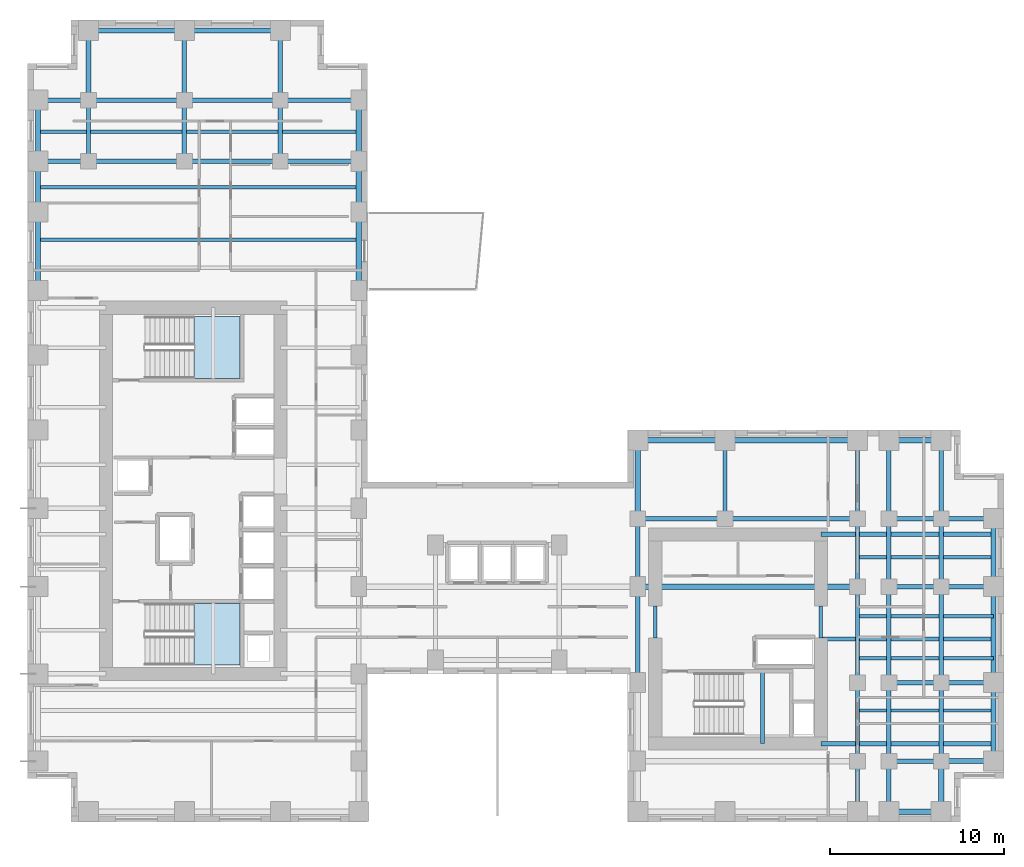
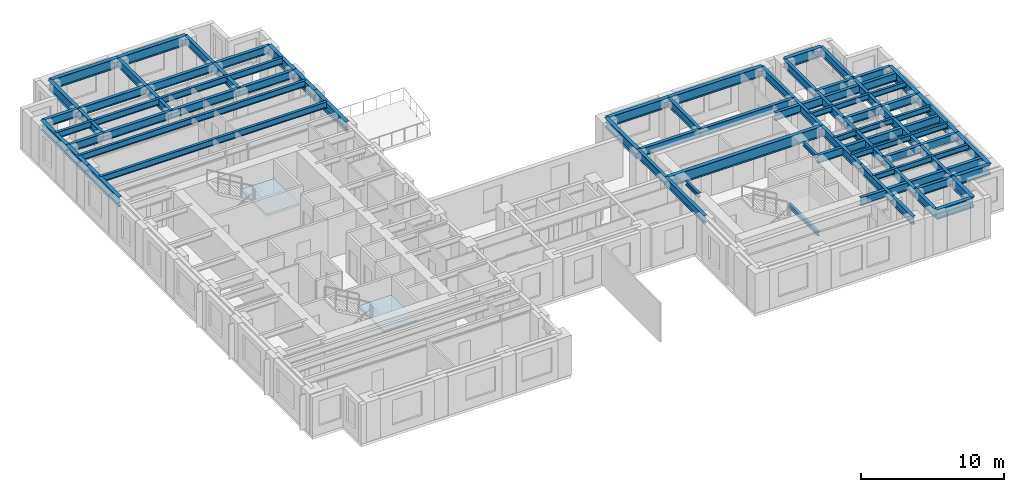
# One storey, part 2 of 11: 72 beams, 2 slabs, 2 elements without a shape of their own.
"""IFC4 building model written with IfcOpenShell, lengths in metres."""

from ifc_helpers import new_model, si_unit, direction, frame, origin, origin_2d, place, context, subcontext, project, spatial, polyline, i_section, outline, extrude, source, transform, mapped, material, layer, layer_set, material_profile, profile_set, type_object, element, aggregate, save


model = new_model("IFC4")

# Units and contexts
model_context = context("Model", 3, precision=1e-05, world=origin(), true_north=direction((0.0, 1.0)))
body_context = subcontext(model_context, "Body", "Model", "MODEL_VIEW")
ifc_project = project(units=[si_unit("LENGTHUNIT", "METRE"), si_unit("AREAUNIT", "SQUARE_METRE"), si_unit("VOLUMEUNIT", "CUBIC_METRE"), si_unit("PLANEANGLEUNIT", "RADIAN"), si_unit("MASSUNIT", "GRAM", prefix="KILO")], contexts=[model_context])

# Site, building, storey
site_placement = place(None, origin())
site = spatial("IfcSite", under=ifc_project, at=site_placement, CompositionType="ELEMENT")
building_placement = place(site_placement, origin())
building = spatial("IfcBuilding", under=site, at=building_placement, Name="Kharzan Plaza Tower", CompositionType="ELEMENT")
storey_placement = place(building_placement, frame((0.0, 0.0, 127.800048828125)))
storey = spatial("IfcBuildingStorey", under=building, at=storey_placement, Name="L34", CompositionType="ELEMENT", Elevation=127.800048828125)

# Beams
ifc_material_1 = material(Name="Steel S355", Category="steel")
ifc_material_profile_1 = material_profile(ifc_material_1, i_section(OverallWidth=0.205078125, OverallDepth=0.35400390625, WebThickness=0.009521484375, FlangeThickness=0.016845703125, at=origin_2d()), Name="W360x79")
ifc_profile_set_1 = profile_set([ifc_material_profile_1], Name="Steel S355")
beam_type_1 = type_object("IfcBeamType", Name="BM-LNT360", PredefinedType="LINTEL", material=ifc_profile_set_1)
shared_shape_1 = source(origin(), body_context, "Body", "SweptSolid", [
    extrude(i_section(OverallWidth=0.205078125, OverallDepth=0.35400390625, WebThickness=0.009521484375, FlangeThickness=0.016845703125, at=origin_2d()), origin(), (0.0, 0.0, 1.0), 1.849853515625),
])
for number, where, z_axis, x_axis, name in (
    (1, (45.5, 10.550048828125, 3.202880859375), (0.0, 1.0, 0.0), (-1.0, 0.0, 0.0), "L34 CORE-B coupling lintel LN1-WE"),
    (2, (36.0, 10.550048828125, 3.202880859375), (0.0, 1.0, 0.0), (-1.0, 0.0, 0.0), "L34 CORE-B coupling lintel LN1-WW"),
):
    element("IfcBeam", number, at=place(storey_placement, frame(where, z_axis=z_axis, x_axis=x_axis)), inside=storey, type_object=beam_type_1, Name=name, PredefinedType="LINTEL", context=body_context, shape_type="MappedRepresentation", body=[
        mapped(shared_shape_1, transform((0.0, 0.0, 0.0), x_axis=(1.0, 0.0, 0.0), y_axis=(0.0, 1.0, 0.0), z_axis=(0.0, 0.0, 1.0))),
    ])
shared_shape_2 = source(origin(), body_context, "Body", "SweptSolid", [
    extrude(i_section(OverallWidth=0.205078125, OverallDepth=0.35400390625, WebThickness=0.009521484375, FlangeThickness=0.016845703125, at=origin_2d()), origin(), (0.0, 0.0, 1.0), 4.155029296875),
])
beam_1_placement = place(storey_placement, frame((42.14990234375, 4.5, 1.4228515625), z_axis=(0.0, 1.0, 0.0), x_axis=(-1.0, 0.0, 0.0)))
element("IfcBeam", 3, at=beam_1_placement, inside=storey, type_object=beam_type_1, Name="L34 Stair ST-3 Half-Landing Beam", PredefinedType="LINTEL", context=body_context, shape_type="MappedRepresentation", body=[
    mapped(shared_shape_2, transform((0.0, 0.0, 0.0), x_axis=(1.0, 0.0, 0.0), y_axis=(0.0, 1.0, 0.0), z_axis=(0.0, 0.0, 1.0))),
])
ifc_material_profile_2 = material_profile(ifc_material_1, i_section(OverallWidth=0.304931640625, OverallDepth=0.9189453125, WebThickness=0.017333984375, FlangeThickness=0.02783203125, at=origin_2d()), Name="W920x253")
ifc_profile_set_2 = profile_set([ifc_material_profile_2], Name="Steel S355")
beam_type_2 = type_object("IfcBeamType", Name="BM-FG920B", PredefinedType="BEAM", material=ifc_profile_set_2)
shared_shape_3 = source(origin(), body_context, "Body", "SweptSolid", [
    extrude(i_section(OverallWidth=0.304931640625, OverallDepth=0.9189453125, WebThickness=0.017333984375, FlangeThickness=0.02783203125, at=origin_2d()), origin(), (0.0, 0.0, 1.0), 12.60009765625),
])
beam_2_placement = place(storey_placement, frame((35.0, 13.5, 2.92041015625), z_axis=(1.0, 0.0, 0.0), x_axis=(0.0, 1.0, 0.0)))
element("IfcBeam", 4, at=beam_2_placement, inside=storey, type_object=beam_type_2, Name="L34 Primary Floor Girder", PredefinedType="BEAM", context=body_context, shape_type="MappedRepresentation", body=[
    mapped(shared_shape_3, transform((0.0, 0.0, 0.0), x_axis=(1.0, 0.0, 0.0), y_axis=(0.0, 1.0, 0.0), z_axis=(0.0, 0.0, 1.0))),
])
ifc_material_profile_3 = material_profile(ifc_material_1, i_section(OverallWidth=0.2099609375, OverallDepth=0.537109375, WebThickness=0.010986328125, FlangeThickness=0.017333984375, at=origin_2d()), Name="W530x101")
ifc_profile_set_3 = profile_set([ifc_material_profile_3], Name="Steel S355")
beam_type_3 = type_object("IfcBeamType", Name="BM-JST530B", PredefinedType="JOIST", material=ifc_profile_set_3)
shared_shape_4 = source(origin(), body_context, "Body", "SweptSolid", [
    extrude(i_section(OverallWidth=0.2099609375, OverallDepth=0.537109375, WebThickness=0.010986328125, FlangeThickness=0.017333984375, at=origin_2d()), origin(), (0.0, 0.0, 1.0), 18.39990234375),
])
for number, where, z_axis, x_axis, name in (
    (5, (0.60009765625, 33.39990234375, 3.111572265625), (1.0, 0.0, 0.0), (0.0, 1.0, 0.0), "L34 Wing A Composite Joist 05"),
    (6, (0.60009765625, 36.39990234375, 3.111572265625), (1.0, 0.0, 0.0), (0.0, 1.0, 0.0), "L34 Wing A Composite Joist 06"),
    (7, (0.60009765625, 39.60009765625, 3.111572265625), (1.0, 0.0, 0.0), (0.0, 1.0, 0.0), "L34 Wing A Composite Joist 07"),
):
    element("IfcBeam", number, at=place(storey_placement, frame(where, z_axis=z_axis, x_axis=x_axis)), inside=storey, type_object=beam_type_3, Name=name, PredefinedType="JOIST", context=body_context, shape_type="MappedRepresentation", body=[
        mapped(shared_shape_4, transform((0.0, 0.0, 0.0), x_axis=(1.0, 0.0, 0.0), y_axis=(0.0, 1.0, 0.0), z_axis=(0.0, 0.0, 1.0))),
    ])
ifc_material_profile_4 = material_profile(ifc_material_1, i_section(OverallWidth=0.25390625, OverallDepth=0.68798828125, WebThickness=0.01318359375, FlangeThickness=0.02099609375, at=origin_2d()), Name="W690x152")
ifc_profile_set_4 = profile_set([ifc_material_profile_4], Name="Steel S355")
beam_type_4 = type_object("IfcBeamType", Name="BM-FG690B", PredefinedType="BEAM", material=ifc_profile_set_4)
shared_shape_5 = source(origin(), body_context, "Body", "SweptSolid", [
    extrude(i_section(OverallWidth=0.25390625, OverallDepth=0.68798828125, WebThickness=0.01318359375, FlangeThickness=0.02099609375, at=origin_2d()), origin(), (0.0, 0.0, 1.0), 4.5),
])
for number, where, z_axis, x_axis, name in (
    (8, (40.0, 17.39990234375, 3.035888671875), (0.0, 1.0, 0.0), (-1.0, 0.0, 0.0), "L34 Interior Frame Girder"),
    (9, (47.60009765625, 3.5, 3.035888671875), (0.0, 1.0, 0.0), (-1.0, 0.0, 0.0), "L34 Interior Frame Girder"),
    (10, (47.60009765625, 17.39990234375, 3.035888671875), (0.0, 1.0, 0.0), (-1.0, 0.0, 0.0), "L34 Interior Frame Girder"),
    (11, (49.39990234375, 3.5, 3.035888671875), (0.0, 1.0, 0.0), (-1.0, 0.0, 0.0), "L34 Interior Frame Girder"),
    (12, (49.39990234375, 17.39990234375, 3.035888671875), (0.0, 1.0, 0.0), (-1.0, 0.0, 0.0), "L34 Interior Frame Girder"),
    (13, (52.39990234375, 3.5, 3.035888671875), (0.0, 1.0, 0.0), (-1.0, 0.0, 0.0), "L34 Interior Frame Girder"),
    (14, (52.39990234375, 17.39990234375, 3.035888671875), (0.0, 1.0, 0.0), (-1.0, 0.0, 0.0), "L34 Interior Frame Girder"),
    (15, (14.5, 37.89990234375, 3.035888671875), (1.0, 0.0, 0.0), (0.0, 1.0, 0.0), "L34 Primary Floor Girder"),
    (16, (14.5, 41.39990234375, 3.035888671875), (1.0, 0.0, 0.0), (0.0, 1.0, 0.0), "L34 Primary Floor Girder"),
):
    element("IfcBeam", number, at=place(storey_placement, frame(where, z_axis=z_axis, x_axis=x_axis)), inside=storey, type_object=beam_type_4, Name=name, PredefinedType="BEAM", context=body_context, shape_type="MappedRepresentation", body=[
        mapped(shared_shape_5, transform((0.0, 0.0, 0.0), x_axis=(1.0, 0.0, 0.0), y_axis=(0.0, 1.0, 0.0), z_axis=(0.0, 0.0, 1.0))),
    ])
shared_shape_6 = source(origin(), body_context, "Body", "SweptSolid", [
    extrude(i_section(OverallWidth=0.25390625, OverallDepth=0.68798828125, WebThickness=0.01318359375, FlangeThickness=0.02099609375, at=origin_2d()), origin(), (0.0, 0.0, 1.0), 3.89990234375),
])
for number, where, z_axis, x_axis, name in (
    (17, (35.0, 13.5, 3.035888671875), (0.0, 1.0, 0.0), (-1.0, 0.0, 0.0), "L34 Interior Frame Girder"),
    (18, (47.60009765625, 13.5, 3.035888671875), (0.0, 1.0, 0.0), (-1.0, 0.0, 0.0), "L34 Interior Frame Girder"),
    (19, (49.39990234375, 13.5, 3.035888671875), (0.0, 1.0, 0.0), (-1.0, 0.0, 0.0), "L34 Interior Frame Girder"),
    (20, (52.39990234375, 13.5, 3.035888671875), (0.0, 1.0, 0.0), (-1.0, 0.0, 0.0), "L34 Interior Frame Girder"),
):
    element("IfcBeam", number, at=place(storey_placement, frame(where, z_axis=z_axis, x_axis=x_axis)), inside=storey, type_object=beam_type_4, Name=name, PredefinedType="BEAM", context=body_context, shape_type="MappedRepresentation", body=[
        mapped(shared_shape_6, transform((0.0, 0.0, 0.0), x_axis=(1.0, 0.0, 0.0), y_axis=(0.0, 1.0, 0.0), z_axis=(0.0, 0.0, 1.0))),
    ])
shared_shape_7 = source(origin(), body_context, "Body", "SweptSolid", [
    extrude(i_section(OverallWidth=0.25390625, OverallDepth=0.68798828125, WebThickness=0.01318359375, FlangeThickness=0.02099609375, at=origin_2d()), origin(), (0.0, 0.0, 1.0), 9.89990234375),
])
for number, where, z_axis, x_axis, name in (
    (21, (45.5, 4.5, 3.035888671875), (1.0, 0.0, 0.0), (0.0, 1.0, 0.0), "L34 Core-B East Floor Girder 1"),
    (22, (45.5, 10.5, 3.035888671875), (1.0, 0.0, 0.0), (0.0, 1.0, 0.0), "L34 Core-B East Floor Girder 2"),
    (23, (45.5, 16.5, 3.035888671875), (1.0, 0.0, 0.0), (0.0, 1.0, 0.0), "L34 Core-B East Floor Girder 3"),
):
    element("IfcBeam", number, at=place(storey_placement, frame(where, z_axis=z_axis, x_axis=x_axis)), inside=storey, type_object=beam_type_4, Name=name, PredefinedType="BEAM", context=body_context, shape_type="MappedRepresentation", body=[
        mapped(shared_shape_7, transform((0.0, 0.0, 0.0), x_axis=(1.0, 0.0, 0.0), y_axis=(0.0, 1.0, 0.0), z_axis=(0.0, 0.0, 1.0))),
    ])
shared_shape_8 = source(origin(), body_context, "Body", "SweptSolid", [
    extrude(i_section(OverallWidth=0.25390625, OverallDepth=0.68798828125, WebThickness=0.01318359375, FlangeThickness=0.02099609375, at=origin_2d()), origin(), (0.0, 0.0, 1.0), 3.5),
])
for number, where, z_axis, x_axis, name in (
    (24, (3.5, 37.89990234375, 3.035888671875), (0.0, 1.0, 0.0), (-1.0, 0.0, 0.0), "L34 Interior Frame Girder"),
    (25, (9.0, 37.89990234375, 3.035888671875), (0.0, 1.0, 0.0), (-1.0, 0.0, 0.0), "L34 Interior Frame Girder"),
    (26, (14.5, 37.89990234375, 3.035888671875), (0.0, 1.0, 0.0), (-1.0, 0.0, 0.0), "L34 Interior Frame Girder"),
):
    element("IfcBeam", number, at=place(storey_placement, frame(where, z_axis=z_axis, x_axis=x_axis)), inside=storey, type_object=beam_type_4, Name=name, PredefinedType="BEAM", context=body_context, shape_type="MappedRepresentation", body=[
        mapped(shared_shape_8, transform((0.0, 0.0, 0.0), x_axis=(1.0, 0.0, 0.0), y_axis=(0.0, 1.0, 0.0), z_axis=(0.0, 0.0, 1.0))),
    ])
shared_shape_9 = source(origin(), body_context, "Body", "SweptSolid", [
    extrude(i_section(OverallWidth=0.25390625, OverallDepth=0.68798828125, WebThickness=0.01318359375, FlangeThickness=0.02099609375, at=origin_2d()), origin(), (0.0, 0.0, 1.0), 4.0),
])
for number, where, z_axis, x_axis, name in (
    (27, (9.0, 41.39990234375, 3.035888671875), (0.0, 1.0, 0.0), (-1.0, 0.0, 0.0), "L34 Interior Frame Girder"),
    (28, (14.5, 41.39990234375, 3.035888671875), (0.0, 1.0, 0.0), (-1.0, 0.0, 0.0), "L34 Interior Frame Girder"),
):
    element("IfcBeam", number, at=place(storey_placement, frame(where, z_axis=z_axis, x_axis=x_axis)), inside=storey, type_object=beam_type_4, Name=name, PredefinedType="BEAM", context=body_context, shape_type="MappedRepresentation", body=[
        mapped(shared_shape_9, transform((0.0, 0.0, 0.0), x_axis=(1.0, 0.0, 0.0), y_axis=(0.0, 1.0, 0.0), z_axis=(0.0, 0.0, 1.0))),
    ])
shared_shape_10 = source(origin(), body_context, "Body", "SweptSolid", [
    extrude(i_section(OverallWidth=0.25390625, OverallDepth=0.68798828125, WebThickness=0.01318359375, FlangeThickness=0.02099609375, at=origin_2d()), origin(), (0.0, 0.0, 1.0), 5.0),
])
beam_3_placement = place(storey_placement, frame((35.0, 17.39990234375, 3.035888671875), z_axis=(1.0, 0.0, 0.0), x_axis=(0.0, 1.0, 0.0)))
element("IfcBeam", 29, at=beam_3_placement, inside=storey, type_object=beam_type_4, Name="L34 Primary Floor Girder", PredefinedType="BEAM", context=body_context, shape_type="MappedRepresentation", body=[
    mapped(shared_shape_10, transform((0.0, 0.0, 0.0), x_axis=(1.0, 0.0, 0.0), y_axis=(0.0, 1.0, 0.0), z_axis=(0.0, 0.0, 1.0))),
])
shared_shape_11 = source(origin(), body_context, "Body", "SweptSolid", [
    extrude(i_section(OverallWidth=0.25390625, OverallDepth=0.68798828125, WebThickness=0.01318359375, FlangeThickness=0.02099609375, at=origin_2d()), origin(), (0.0, 0.0, 1.0), 5.5),
])
for number, where, z_axis, x_axis, name in (
    (30, (35.0, 8.0, 3.035888671875), (0.0, 1.0, 0.0), (-1.0, 0.0, 0.0), "L34 Interior Frame Girder"),
    (31, (47.60009765625, 8.0, 3.035888671875), (0.0, 1.0, 0.0), (-1.0, 0.0, 0.0), "L34 Interior Frame Girder"),
    (32, (49.39990234375, 8.0, 3.035888671875), (0.0, 1.0, 0.0), (-1.0, 0.0, 0.0), "L34 Interior Frame Girder"),
    (33, (52.39990234375, 8.0, 3.035888671875), (0.0, 1.0, 0.0), (-1.0, 0.0, 0.0), "L34 Interior Frame Girder"),
    (34, (3.5, 37.89990234375, 3.035888671875), (1.0, 0.0, 0.0), (0.0, 1.0, 0.0), "L34 Primary Floor Girder"),
    (35, (9.0, 37.89990234375, 3.035888671875), (1.0, 0.0, 0.0), (0.0, 1.0, 0.0), "L34 Primary Floor Girder"),
    (36, (3.5, 41.39990234375, 3.035888671875), (1.0, 0.0, 0.0), (0.0, 1.0, 0.0), "L34 Primary Floor Girder"),
    (37, (9.0, 41.39990234375, 3.035888671875), (1.0, 0.0, 0.0), (0.0, 1.0, 0.0), "L34 Primary Floor Girder"),
):
    element("IfcBeam", number, at=place(storey_placement, frame(where, z_axis=z_axis, x_axis=x_axis)), inside=storey, type_object=beam_type_4, Name=name, PredefinedType="BEAM", context=body_context, shape_type="MappedRepresentation", body=[
        mapped(shared_shape_11, transform((0.0, 0.0, 0.0), x_axis=(1.0, 0.0, 0.0), y_axis=(0.0, 1.0, 0.0), z_axis=(0.0, 0.0, 1.0))),
    ])
shared_shape_12 = source(origin(), body_context, "Body", "SweptSolid", [
    extrude(i_section(OverallWidth=0.25390625, OverallDepth=0.68798828125, WebThickness=0.01318359375, FlangeThickness=0.02099609375, at=origin_2d()), origin(), (0.0, 0.0, 1.0), 2.89990234375),
])
for number, where, z_axis, x_axis, name in (
    (38, (47.60009765625, 0.60009765625, 3.035888671875), (0.0, 1.0, 0.0), (-1.0, 0.0, 0.0), "L34 Interior Frame Girder"),
    (39, (49.39990234375, 0.60009765625, 3.035888671875), (0.0, 1.0, 0.0), (-1.0, 0.0, 0.0), "L34 Interior Frame Girder"),
    (40, (0.60009765625, 37.89990234375, 3.035888671875), (1.0, 0.0, 0.0), (0.0, 1.0, 0.0), "L34 Primary Floor Girder"),
    (41, (0.60009765625, 41.39990234375, 3.035888671875), (1.0, 0.0, 0.0), (0.0, 1.0, 0.0), "L34 Primary Floor Girder"),
):
    element("IfcBeam", number, at=place(storey_placement, frame(where, z_axis=z_axis, x_axis=x_axis)), inside=storey, type_object=beam_type_4, Name=name, PredefinedType="BEAM", context=body_context, shape_type="MappedRepresentation", body=[
        mapped(shared_shape_12, transform((0.0, 0.0, 0.0), x_axis=(1.0, 0.0, 0.0), y_axis=(0.0, 1.0, 0.0), z_axis=(0.0, 0.0, 1.0))),
    ])
shared_shape_13 = source(origin(), body_context, "Body", "SweptSolid", [
    extrude(i_section(OverallWidth=0.25390625, OverallDepth=0.68798828125, WebThickness=0.01318359375, FlangeThickness=0.02099609375, at=origin_2d()), origin(), (0.0, 0.0, 1.0), 3.0),
])
for number, where, z_axis, x_axis, name in (
    (42, (49.39990234375, 3.5, 3.035888671875), (1.0, 0.0, 0.0), (0.0, 1.0, 0.0), "L34 Primary Floor Girder"),
    (43, (49.39990234375, 8.0, 3.035888671875), (1.0, 0.0, 0.0), (0.0, 1.0, 0.0), "L34 Primary Floor Girder"),
    (44, (52.39990234375, 8.0, 3.035888671875), (1.0, 0.0, 0.0), (0.0, 1.0, 0.0), "L34 Primary Floor Girder"),
    (45, (49.39990234375, 13.5, 3.035888671875), (1.0, 0.0, 0.0), (0.0, 1.0, 0.0), "L34 Primary Floor Girder"),
    (46, (52.39990234375, 13.5, 3.035888671875), (1.0, 0.0, 0.0), (0.0, 1.0, 0.0), "L34 Primary Floor Girder"),
    (47, (49.39990234375, 17.39990234375, 3.035888671875), (1.0, 0.0, 0.0), (0.0, 1.0, 0.0), "L34 Primary Floor Girder"),
    (48, (52.39990234375, 17.39990234375, 3.035888671875), (1.0, 0.0, 0.0), (0.0, 1.0, 0.0), "L34 Primary Floor Girder"),
):
    element("IfcBeam", number, at=place(storey_placement, frame(where, z_axis=z_axis, x_axis=x_axis)), inside=storey, type_object=beam_type_4, Name=name, PredefinedType="BEAM", context=body_context, shape_type="MappedRepresentation", body=[
        mapped(shared_shape_13, transform((0.0, 0.0, 0.0), x_axis=(1.0, 0.0, 0.0), y_axis=(0.0, 1.0, 0.0), z_axis=(0.0, 0.0, 1.0))),
    ])
shared_shape_14 = source(origin(), body_context, "Body", "SweptSolid", [
    extrude(i_section(OverallWidth=0.25390625, OverallDepth=0.68798828125, WebThickness=0.01318359375, FlangeThickness=0.02099609375, at=origin_2d()), origin(), (0.0, 0.0, 1.0), 7.60009765625),
])
beam_4_placement = place(storey_placement, frame((40.0, 17.39990234375, 3.035888671875), z_axis=(1.0, 0.0, 0.0), x_axis=(0.0, 1.0, 0.0)))
element("IfcBeam", 49, at=beam_4_placement, inside=storey, type_object=beam_type_4, Name="L34 Primary Floor Girder", PredefinedType="BEAM", context=body_context, shape_type="MappedRepresentation", body=[
    mapped(shared_shape_14, transform((0.0, 0.0, 0.0), x_axis=(1.0, 0.0, 0.0), y_axis=(0.0, 1.0, 0.0), z_axis=(0.0, 0.0, 1.0))),
])
ifc_material_profile_5 = material_profile(ifc_material_1, i_section(OverallWidth=0.194091796875, OverallDepth=0.468994140625, WebThickness=0.011474609375, FlangeThickness=0.0205078125, at=origin_2d()), Name="W460x106")
ifc_profile_set_5 = profile_set([ifc_material_profile_5], Name="Steel S355")
beam_type_5 = type_object("IfcBeamType", Name="BM-JST460", PredefinedType="JOIST", material=ifc_profile_set_5)
shared_shape_15 = source(origin(), body_context, "Body", "SweptSolid", [
    extrude(i_section(OverallWidth=0.194091796875, OverallDepth=0.468994140625, WebThickness=0.011474609375, FlangeThickness=0.0205078125, at=origin_2d()), origin(), (0.0, 0.0, 1.0), 7.7998046875),
])
for number, where, z_axis, x_axis, name in (
    (50, (47.60009765625, 6.39990234375, 3.1455078125), (1.0, 0.0, 0.0), (0.0, 1.0, 0.0), "L34 Wing B Composite Joist 02"),
    (51, (47.60009765625, 9.39990234375, 3.1455078125), (1.0, 0.0, 0.0), (0.0, 1.0, 0.0), "L34 Wing B Composite Joist 03"),
    (52, (47.60009765625, 11.800048828125, 3.1455078125), (1.0, 0.0, 0.0), (0.0, 1.0, 0.0), "L34 Wing B Composite Joist 04"),
    (53, (47.60009765625, 15.199951171875, 3.1455078125), (1.0, 0.0, 0.0), (0.0, 1.0, 0.0), "L34 Wing B Composite Joist 05"),
):
    element("IfcBeam", number, at=place(storey_placement, frame(where, z_axis=z_axis, x_axis=x_axis)), inside=storey, type_object=beam_type_5, Name=name, PredefinedType="JOIST", context=body_context, shape_type="MappedRepresentation", body=[
        mapped(shared_shape_15, transform((0.0, 0.0, 0.0), x_axis=(1.0, 0.0, 0.0), y_axis=(0.0, 1.0, 0.0), z_axis=(0.0, 0.0, 1.0))),
    ])
ifc_material_profile_6 = material_profile(ifc_material_1, i_section(OverallWidth=0.299072265625, OverallDepth=0.845947265625, WebThickness=0.015380859375, FlangeThickness=0.0244140625, at=origin_2d()), Name="W840x210")
ifc_profile_set_6 = profile_set([ifc_material_profile_6], Name="Steel S355")
beam_type_6 = type_object("IfcBeamType", Name="BM-SP840B", PredefinedType="SPANDREL", material=ifc_profile_set_6)
shared_shape_16 = source(origin(), body_context, "Body", "SweptSolid", [
    extrude(i_section(OverallWidth=0.299072265625, OverallDepth=0.845947265625, WebThickness=0.015380859375, FlangeThickness=0.0244140625, at=origin_2d()), origin(), (0.0, 0.0, 1.0), 5.0),
])
beam_5_placement = place(storey_placement, frame((35.0, 21.89990234375, 2.95703125), z_axis=(1.0, 0.0, 0.0), x_axis=(0.0, 1.0, 0.0)))
element("IfcBeam", 54, at=beam_5_placement, inside=storey, type_object=beam_type_6, Name="L34 Perimeter Tube Spandrel", PredefinedType="SPANDREL", context=body_context, shape_type="MappedRepresentation", body=[
    mapped(shared_shape_16, transform((0.0, 0.0, 0.0), x_axis=(1.0, 0.0, 0.0), y_axis=(0.0, 1.0, 0.0), z_axis=(0.0, 0.0, 1.0))),
])
shared_shape_17 = source(origin(), body_context, "Body", "SweptSolid", [
    extrude(i_section(OverallWidth=0.299072265625, OverallDepth=0.845947265625, WebThickness=0.015380859375, FlangeThickness=0.0244140625, at=origin_2d()), origin(), (0.0, 0.0, 1.0), 4.5),
])
for number, where, z_axis, x_axis, name in (
    (55, (0.60009765625, 30.5, 2.95703125), (0.0, 1.0, 0.0), (-1.0, 0.0, 0.0), "L34 Perimeter Tube Spandrel"),
    (56, (19.0, 30.5, 2.95703125), (0.0, 1.0, 0.0), (-1.0, 0.0, 0.0), "L34 Perimeter Tube Spandrel"),
    (57, (35.0, 17.39990234375, 2.95703125), (0.0, 1.0, 0.0), (-1.0, 0.0, 0.0), "L34 Perimeter Tube Spandrel"),
    (58, (55.39990234375, 3.5, 2.95703125), (0.0, 1.0, 0.0), (-1.0, 0.0, 0.0), "L34 Perimeter Tube Spandrel"),
):
    element("IfcBeam", number, at=place(storey_placement, frame(where, z_axis=z_axis, x_axis=x_axis)), inside=storey, type_object=beam_type_6, Name=name, PredefinedType="SPANDREL", context=body_context, shape_type="MappedRepresentation", body=[
        mapped(shared_shape_17, transform((0.0, 0.0, 0.0), x_axis=(1.0, 0.0, 0.0), y_axis=(0.0, 1.0, 0.0), z_axis=(0.0, 0.0, 1.0))),
    ])
shared_shape_18 = source(origin(), body_context, "Body", "SweptSolid", [
    extrude(i_section(OverallWidth=0.299072265625, OverallDepth=0.845947265625, WebThickness=0.015380859375, FlangeThickness=0.0244140625, at=origin_2d()), origin(), (0.0, 0.0, 1.0), 2.89990234375),
])
for number, where, z_axis, x_axis, name in (
    (59, (0.60009765625, 35.0, 2.95703125), (0.0, 1.0, 0.0), (-1.0, 0.0, 0.0), "L34 Perimeter Tube Spandrel"),
    (60, (19.0, 35.0, 2.95703125), (0.0, 1.0, 0.0), (-1.0, 0.0, 0.0), "L34 Perimeter Tube Spandrel"),
    (61, (52.39990234375, 0.60009765625, 2.95703125), (0.0, 1.0, 0.0), (-1.0, 0.0, 0.0), "L34 Perimeter Tube Spandrel"),
):
    element("IfcBeam", number, at=place(storey_placement, frame(where, z_axis=z_axis, x_axis=x_axis)), inside=storey, type_object=beam_type_6, Name=name, PredefinedType="SPANDREL", context=body_context, shape_type="MappedRepresentation", body=[
        mapped(shared_shape_18, transform((0.0, 0.0, 0.0), x_axis=(1.0, 0.0, 0.0), y_axis=(0.0, 1.0, 0.0), z_axis=(0.0, 0.0, 1.0))),
    ])
shared_shape_19 = source(origin(), body_context, "Body", "SweptSolid", [
    extrude(i_section(OverallWidth=0.299072265625, OverallDepth=0.845947265625, WebThickness=0.015380859375, FlangeThickness=0.0244140625, at=origin_2d()), origin(), (0.0, 0.0, 1.0), 3.5),
])
for number, where, z_axis, x_axis, name in (
    (62, (0.60009765625, 37.89990234375, 2.95703125), (0.0, 1.0, 0.0), (-1.0, 0.0, 0.0), "L34 Perimeter Tube Spandrel"),
    (63, (19.0, 37.89990234375, 2.95703125), (0.0, 1.0, 0.0), (-1.0, 0.0, 0.0), "L34 Perimeter Tube Spandrel"),
):
    element("IfcBeam", number, at=place(storey_placement, frame(where, z_axis=z_axis, x_axis=x_axis)), inside=storey, type_object=beam_type_6, Name=name, PredefinedType="SPANDREL", context=body_context, shape_type="MappedRepresentation", body=[
        mapped(shared_shape_19, transform((0.0, 0.0, 0.0), x_axis=(1.0, 0.0, 0.0), y_axis=(0.0, 1.0, 0.0), z_axis=(0.0, 0.0, 1.0))),
    ])
shared_shape_20 = source(origin(), body_context, "Body", "SweptSolid", [
    extrude(i_section(OverallWidth=0.299072265625, OverallDepth=0.845947265625, WebThickness=0.015380859375, FlangeThickness=0.0244140625, at=origin_2d()), origin(), (0.0, 0.0, 1.0), 4.0),
])
beam_6_placement = place(storey_placement, frame((3.5, 41.39990234375, 2.95703125), z_axis=(0.0, 1.0, 0.0), x_axis=(-1.0, 0.0, 0.0)))
element("IfcBeam", 64, at=beam_6_placement, inside=storey, type_object=beam_type_6, Name="L34 Perimeter Tube Spandrel", PredefinedType="SPANDREL", context=body_context, shape_type="MappedRepresentation", body=[
    mapped(shared_shape_20, transform((0.0, 0.0, 0.0), x_axis=(1.0, 0.0, 0.0), y_axis=(0.0, 1.0, 0.0), z_axis=(0.0, 0.0, 1.0))),
])
shared_shape_21 = source(origin(), body_context, "Body", "SweptSolid", [
    extrude(i_section(OverallWidth=0.299072265625, OverallDepth=0.845947265625, WebThickness=0.015380859375, FlangeThickness=0.0244140625, at=origin_2d()), origin(), (0.0, 0.0, 1.0), 5.5),
])
for number, where, z_axis, x_axis, name in (
    (65, (55.39990234375, 8.0, 2.95703125), (0.0, 1.0, 0.0), (-1.0, 0.0, 0.0), "L34 Perimeter Tube Spandrel"),
    (66, (3.5, 45.39990234375, 2.95703125), (1.0, 0.0, 0.0), (0.0, 1.0, 0.0), "L34 Perimeter Tube Spandrel"),
    (67, (9.0, 45.39990234375, 2.95703125), (1.0, 0.0, 0.0), (0.0, 1.0, 0.0), "L34 Perimeter Tube Spandrel"),
):
    element("IfcBeam", number, at=place(storey_placement, frame(where, z_axis=z_axis, x_axis=x_axis)), inside=storey, type_object=beam_type_6, Name=name, PredefinedType="SPANDREL", context=body_context, shape_type="MappedRepresentation", body=[
        mapped(shared_shape_21, transform((0.0, 0.0, 0.0), x_axis=(1.0, 0.0, 0.0), y_axis=(0.0, 1.0, 0.0), z_axis=(0.0, 0.0, 1.0))),
    ])
shared_shape_22 = source(origin(), body_context, "Body", "SweptSolid", [
    extrude(i_section(OverallWidth=0.299072265625, OverallDepth=0.845947265625, WebThickness=0.015380859375, FlangeThickness=0.0244140625, at=origin_2d()), origin(), (0.0, 0.0, 1.0), 3.89990234375),
])
beam_7_placement = place(storey_placement, frame((55.39990234375, 13.5, 2.95703125), z_axis=(0.0, 1.0, 0.0), x_axis=(-1.0, 0.0, 0.0)))
element("IfcBeam", 68, at=beam_7_placement, inside=storey, type_object=beam_type_6, Name="L34 Perimeter Tube Spandrel", PredefinedType="SPANDREL", context=body_context, shape_type="MappedRepresentation", body=[
    mapped(shared_shape_22, transform((0.0, 0.0, 0.0), x_axis=(1.0, 0.0, 0.0), y_axis=(0.0, 1.0, 0.0), z_axis=(0.0, 0.0, 1.0))),
])
shared_shape_23 = source(origin(), body_context, "Body", "SweptSolid", [
    extrude(i_section(OverallWidth=0.299072265625, OverallDepth=0.845947265625, WebThickness=0.015380859375, FlangeThickness=0.0244140625, at=origin_2d()), origin(), (0.0, 0.0, 1.0), 7.60009765625),
])
beam_8_placement = place(storey_placement, frame((40.0, 21.89990234375, 2.95703125), z_axis=(1.0, 0.0, 0.0), x_axis=(0.0, 1.0, 0.0)))
element("IfcBeam", 69, at=beam_8_placement, inside=storey, type_object=beam_type_6, Name="L34 Perimeter Tube Spandrel", PredefinedType="SPANDREL", context=body_context, shape_type="MappedRepresentation", body=[
    mapped(shared_shape_23, transform((0.0, 0.0, 0.0), x_axis=(1.0, 0.0, 0.0), y_axis=(0.0, 1.0, 0.0), z_axis=(0.0, 0.0, 1.0))),
])
shared_shape_24 = source(origin(), body_context, "Body", "SweptSolid", [
    extrude(i_section(OverallWidth=0.299072265625, OverallDepth=0.845947265625, WebThickness=0.015380859375, FlangeThickness=0.0244140625, at=origin_2d()), origin(), (0.0, 0.0, 1.0), 3.0),
])
for number, where, z_axis, x_axis, name in (
    (70, (49.39990234375, 0.60009765625, 2.95703125), (1.0, 0.0, 0.0), (0.0, 1.0, 0.0), "L34 Perimeter Tube Spandrel"),
    (71, (52.39990234375, 3.5, 2.95703125), (1.0, 0.0, 0.0), (0.0, 1.0, 0.0), "L34 Perimeter Tube Spandrel"),
    (72, (49.39990234375, 21.89990234375, 2.95703125), (1.0, 0.0, 0.0), (0.0, 1.0, 0.0), "L34 Perimeter Tube Spandrel"),
):
    element("IfcBeam", number, at=place(storey_placement, frame(where, z_axis=z_axis, x_axis=x_axis)), inside=storey, type_object=beam_type_6, Name=name, PredefinedType="SPANDREL", context=body_context, shape_type="MappedRepresentation", body=[
        mapped(shared_shape_24, transform((0.0, 0.0, 0.0), x_axis=(1.0, 0.0, 0.0), y_axis=(0.0, 1.0, 0.0), z_axis=(0.0, 0.0, 1.0))),
    ])

# Stair, slab
ifc_material_2 = material(Name="Concrete C40/50", Category="concrete")
stair_type_1 = type_object("IfcStairType", Name="STR-ST-1", PredefinedType="HALF_TURN_STAIR", material=ifc_material_2)
stair_1_placement = place(storey_placement, origin())
stair_1 = element("IfcStair", 73, at=stair_1_placement, inside=storey, type_object=stair_type_1, Name="L34 Protected Exit Stair ST-1", PredefinedType="HALF_TURN_STAIR")
ifc_layer = layer(ifc_material_2, 0.219970703125)
ifc_layer_set = layer_set([ifc_layer], Name="Concrete C40/50")
slab_type = type_object("IfcSlabType", Name="SL-LANDING-220", PredefinedType="LANDING", material=ifc_layer_set)
slab_1_placement = place(storey_placement, frame((0.0, 0.0, 1.599853515625)))
slab_1 = element("IfcSlab", 74, at=slab_1_placement, type_object=slab_type, Name="ST-1 landing 1", PredefinedType="LANDING", context=body_context, shape_type="SweptSolid", body=[
    extrude(outline(polyline([(9.550048828125, 9.0), (12.199951171875, 9.0), (12.199951171875, 12.550048828125), (9.550048828125, 12.550048828125), (9.550048828125, 9.0)])), origin(), (0.0, 0.0, 1.0), 0.2001953125),
])
aggregate(stair_1, [slab_1])

stair_type_2 = type_object("IfcStairType", Name="STR-ST-2", PredefinedType="HALF_TURN_STAIR", material=ifc_material_2)
stair_2_placement = place(storey_placement, origin())
stair_2 = element("IfcStair", 75, at=stair_2_placement, inside=storey, type_object=stair_type_2, Name="L34 Protected Exit Stair ST-2", PredefinedType="HALF_TURN_STAIR")
slab_2_placement = place(storey_placement, frame((0.0, 0.0, 1.599853515625)))
slab_2 = element("IfcSlab", 76, at=slab_2_placement, type_object=slab_type, Name="ST-2 landing 1", PredefinedType="LANDING", context=body_context, shape_type="SweptSolid", body=[
    extrude(outline(polyline([(9.550048828125, 25.449951171875), (12.199951171875, 25.449951171875), (12.199951171875, 29.0), (9.550048828125, 29.0), (9.550048828125, 25.449951171875)])), origin(), (0.0, 0.0, 1.0), 0.2001953125),
])
aggregate(stair_2, [slab_2])

save(model, "model.ifc")
